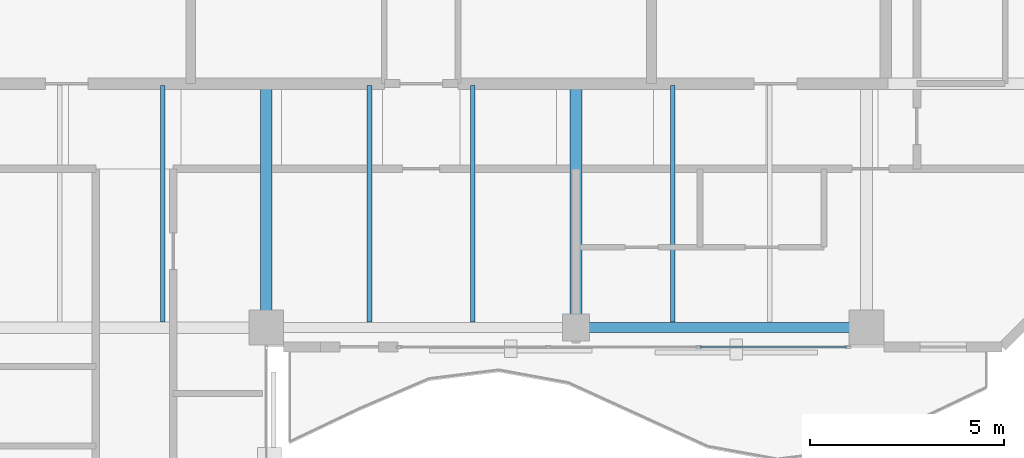
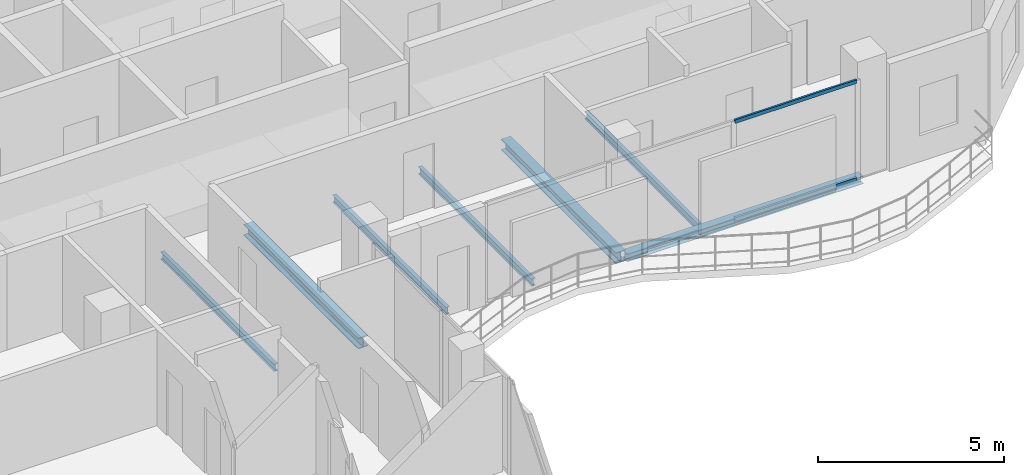
# One storey, part 13 of 23: 7 beams, 2 members, 1 element without a shape of its own.
"""IFC4 building model written with IfcOpenShell, lengths in metres."""

from ifc_helpers import new_model, si_unit, direction, frame, origin, origin_2d, place, context, subcontext, project, spatial, hollow_rectangle, i_section, extrude, material, layer, layer_set, material_profile, profile_set, type_object, element, aggregate, save


model = new_model("IFC4")

# Units and contexts
model_context = context("Model", 3, precision=1e-05, world=origin(), true_north=direction((0.0, 1.0)))
body_context = subcontext(model_context, "Body", "Model", "MODEL_VIEW")
ifc_project = project(units=[si_unit("LENGTHUNIT", "METRE"), si_unit("AREAUNIT", "SQUARE_METRE"), si_unit("VOLUMEUNIT", "CUBIC_METRE"), si_unit("PLANEANGLEUNIT", "RADIAN"), si_unit("MASSUNIT", "GRAM", prefix="KILO")], contexts=[model_context])

# Site, building, storey
site_placement = place(None, origin())
site = spatial("IfcSite", under=ifc_project, at=site_placement, CompositionType="ELEMENT")
building_placement = place(site_placement, origin())
building = spatial("IfcBuilding", under=site, at=building_placement, Name="Catumbela Crestline Tower", CompositionType="ELEMENT")
storey_placement = place(building_placement, frame((0.0, 0.0, 252.6)))
storey = spatial("IfcBuildingStorey", under=building, at=storey_placement, Name="L65", CompositionType="ELEMENT", Elevation=252.6)

# Beams
ifc_material_1 = material(Name="Structural steel S355J2", Category="steel")
ifc_material_profile_1 = material_profile(ifc_material_1, i_section(OverallWidth=0.3, OverallDepth=0.36, WebThickness=0.0125, FlangeThickness=0.0225, FilletRadius=0.027, at=origin_2d()), Name="HEB 360")
ifc_profile_set_1 = profile_set([ifc_material_profile_1], Name="Structural steel S355J2")
beam_type_1 = type_object("IfcBeamType", Name="BG-HEB360", PredefinedType="BEAM", material=ifc_profile_set_1)
for number, where, z_axis, x_axis, name in (
    (1, (24.0, 24.58, -0.44), (0.0, 1.0, 0.0), (-1.0, 0.0, 0.0), "L65 Beam BM-L65-SNS16"),
    (2, (32.0, 24.58, -0.44), (0.0, 1.0, 0.0), (-1.0, 0.0, 0.0), "L65 Beam BM-L65-SNS17"),
):
    element("IfcBeam", number, at=place(storey_placement, frame(where, z_axis=z_axis, x_axis=x_axis)), inside=storey, type_object=beam_type_1, Name=name, PredefinedType="BEAM", context=body_context, shape_type="SweptSolid", body=[
        extrude(i_section(OverallWidth=0.3, OverallDepth=0.36, WebThickness=0.0125, FlangeThickness=0.0225, FilletRadius=0.027, at=origin_2d()), origin(), (0.0, 0.0, 1.0), 6.17),
    ])
ifc_material_profile_2 = material_profile(ifc_material_1, i_section(OverallWidth=0.12, OverallDepth=0.24, WebThickness=0.0062, FlangeThickness=0.0098, FilletRadius=0.015, at=origin_2d()), Name="IPE 240")
ifc_profile_set_2 = profile_set([ifc_material_profile_2], Name="Structural steel S355J2")
beam_type_2 = type_object("IfcBeamType", Name="BJ-IPE240", PredefinedType="JOIST", material=ifc_profile_set_2)
for number, where, z_axis, x_axis, name in (
    (3, (21.333, 24.647, -0.38), (0.0, 1.0, 0.0), (-1.0, 0.0, 0.0), "L65 Joist JS-L65-SP22"),
    (4, (26.667, 24.647, -0.38), (0.0, 1.0, 0.0), (-1.0, 0.0, 0.0), "L65 Joist JS-L65-SP23"),
    (5, (29.333, 24.647, -0.38), (0.0, 1.0, 0.0), (-1.0, 0.0, 0.0), "L65 Joist JS-L65-SP24"),
    (6, (34.5, 24.647, -0.38), (0.0, 1.0, 0.0), (-1.0, 0.0, 0.0), "L65 Joist JS-L65-SP25"),
):
    element("IfcBeam", number, at=place(storey_placement, frame(where, z_axis=z_axis, x_axis=x_axis)), inside=storey, type_object=beam_type_2, Name=name, PredefinedType="JOIST", context=body_context, shape_type="SweptSolid", body=[
        extrude(i_section(OverallWidth=0.12, OverallDepth=0.24, WebThickness=0.0062, FlangeThickness=0.0098, FilletRadius=0.015, at=origin_2d()), origin(), (0.0, 0.0, 1.0), 6.103),
    ])
ifc_material_profile_3 = material_profile(ifc_material_1, i_section(OverallWidth=0.26, OverallDepth=0.25, WebThickness=0.0075, FlangeThickness=0.0125, FilletRadius=0.024, at=origin_2d()), Name="HEA 260")
ifc_profile_set_3 = profile_set([ifc_material_profile_3], Name="Structural steel S355J2")
beam_type_3 = type_object("IfcBeamType", Name="BS-HEA260", PredefinedType="SPANDREL", material=ifc_profile_set_3)
beam_placement = place(storey_placement, frame((32.08, 24.5, -0.385), z_axis=(1.0, 0.0, 0.0), x_axis=(0.0, 1.0, 0.0)))
element("IfcBeam", 7, at=beam_placement, inside=storey, type_object=beam_type_3, Name="L65 Spandrel SP-L65-S05", PredefinedType="SPANDREL", context=body_context, shape_type="SweptSolid", body=[
    extrude(i_section(OverallWidth=0.26, OverallDepth=0.25, WebThickness=0.0075, FlangeThickness=0.0125, FilletRadius=0.024, at=origin_2d()), origin(), (0.0, 0.0, 1.0), 7.34),
])

# Curtain wall, members
ifc_material_2 = material(Name="Aluminium alloy AW-6060-T66", Category="aluminium")
ifc_layer = layer(ifc_material_2, 0.18, Name="Aluminium alloy AW-6060-T66")
ifc_layer_set = layer_set([ifc_layer], Name="Aluminium alloy AW-6060-T66")
curtain_wall_type = type_object("IfcCurtainWallType", Name="CWU-Z4", PredefinedType="USERDEFINED", material=ifc_layer_set)
curtain_wall_placement = place(storey_placement, origin())
curtain_wall = element("IfcCurtainWall", 8, at=curtain_wall_placement, inside=storey, type_object=curtain_wall_type, Name="L65 Unitised Curtain Wall CW-L65-E3S2", ObjectType="UNITISED", PredefinedType="USERDEFINED")
ifc_material_profile_4 = material_profile(ifc_material_2, hollow_rectangle(XDim=0.06, YDim=0.12, WallThickness=0.0035, at=origin_2d()), Name="ALU 120x60x3.5")
ifc_profile_set_4 = profile_set([ifc_material_profile_4], Name="Aluminium alloy AW-6060-T66")
member_type = type_object("IfcMemberType", Name="TRN-120X60", PredefinedType="USERDEFINED", material=ifc_profile_set_4)
member_1_placement = place(storey_placement, frame((35.1992, 24.0, 0.03), z_axis=(1.0, 0.0, 0.0), x_axis=(0.0, 1.0, 0.0)))
member_1 = element("IfcMember", 9, at=member_1_placement, type_object=member_type, Name="CWU-Z4 transom 3.1", ObjectType="TRANSOM", PredefinedType="USERDEFINED", context=body_context, shape_type="SweptSolid", body=[
    extrude(hollow_rectangle(XDim=0.06, YDim=0.12, WallThickness=0.0035, at=origin_2d()), origin(), (0.0, 0.0, 1.0), 3.7858),
])
member_2_placement = place(storey_placement, frame((35.1992, 24.0, 3.24), z_axis=(1.0, 0.0, 0.0), x_axis=(0.0, 1.0, 0.0)))
member_2 = element("IfcMember", 10, at=member_2_placement, type_object=member_type, Name="CWU-Z4 transom 3.2", ObjectType="TRANSOM", PredefinedType="USERDEFINED", context=body_context, shape_type="SweptSolid", body=[
    extrude(hollow_rectangle(XDim=0.06, YDim=0.12, WallThickness=0.0035, at=origin_2d()), origin(), (0.0, 0.0, 1.0), 3.7858),
])
aggregate(curtain_wall, [member_1, member_2])

save(model, "model.ifc")
